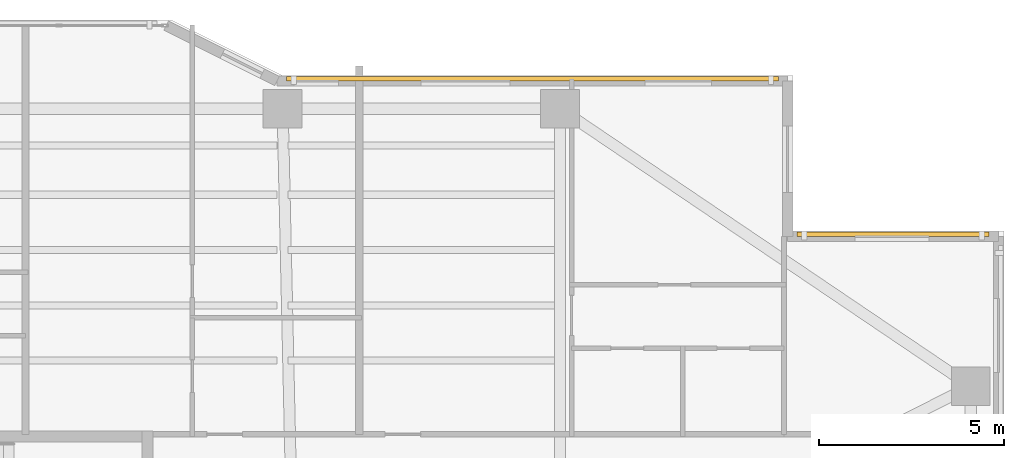
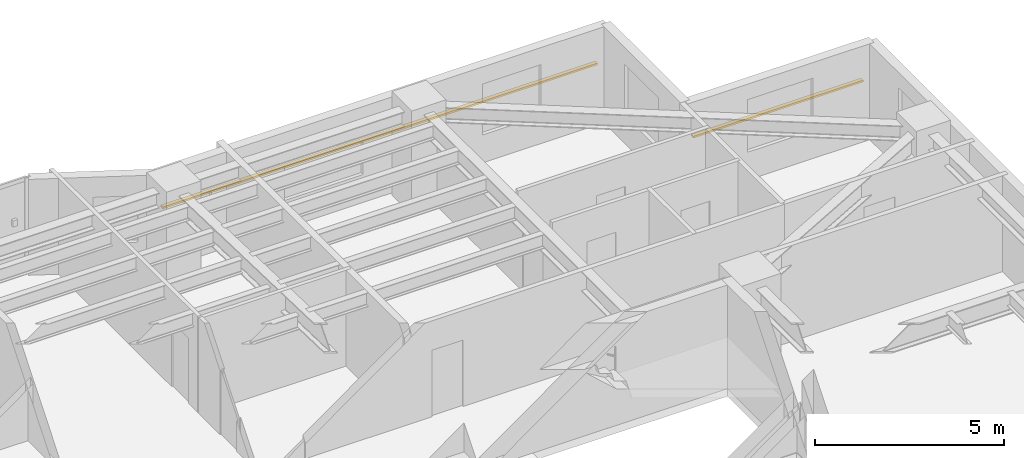
# One storey, part 18 of 18: 2 shading devices.
"""IFC4 building model written with IfcOpenShell, lengths in metres."""

import ifcopenshell
import ifcopenshell.guid

model = None  # the IFC model being written
_history = None  # IfcOwnerHistory: only IFC2X3 demands one
_inside = {}  # id of a spatial element -> (the spatial element, [elements in it])
_under = {}  # id of a project, library or spatial element -> (it, [spatial elements below it])
_declared = {}  # id of a project -> (the project, [libraries it declares])
_typed = {}  # id of a type object -> (the type object, [elements of that type])
_made_of = {}  # id of a material, layer set ... -> (it, [elements and type objects made of it])


def new_model(schema):
    """Start an empty IFC model of exactly this schema.

    Asked for "IFC4X3", IfcOpenShell would pick the latest addendum, in which some entities
    have other attributes; the version numbers below select the first issue.
    IFC2X3 requires an IfcOwnerHistory on every rooted entity: one is made here for all.
    """
    global model, _history
    if schema == "IFC4X3":
        model = ifcopenshell.file(schema_version=(4, 3, 0, 0))
    else:
        model = ifcopenshell.file(schema=schema)
    _inside.clear()
    _under.clear()
    _declared.clear()
    _typed.clear()
    _made_of.clear()
    _history = None
    if model.schema == "IFC2X3":
        org = make("IfcOrganization", Name="unknown")
        user = make(
            "IfcPersonAndOrganization",
            ThePerson=make("IfcPerson", FamilyName="unknown"),
            TheOrganization=org,
        )
        app = make(
            "IfcApplication",
            ApplicationDeveloper=org,
            Version="unknown",
            ApplicationFullName="unknown",
            ApplicationIdentifier="unknown",
        )
        _history = make(
            "IfcOwnerHistory",
            OwningUser=user,
            OwningApplication=app,
            ChangeAction="ADDED",
            CreationDate=0,
        )
    return model


def make(cls, **values):
    """One entity of the class cls with the attributes given. An attribute that is None is left unset."""
    return model.create_entity(
        cls, **{name: value for name, value in values.items() if value is not None}
    )


def rooted(cls, **values):
    """An entity with a GlobalId (a new one), such as an element, a storey or a relation."""
    return make(cls, GlobalId=ifcopenshell.guid.new(), OwnerHistory=_history, **values)


def si_unit(unit_type, name, prefix=None):
    """IfcSIUnit, for example si_unit("LENGTHUNIT", "METRE", prefix="MILLI")."""
    return make("IfcSIUnit", UnitType=unit_type, Prefix=prefix, Name=name)


def assignment(units):
    """IfcUnitAssignment: the units of a project."""
    return None if units is None else make("IfcUnitAssignment", Units=units)


def point(xyz):
    """IfcCartesianPoint."""
    return None if xyz is None else make("IfcCartesianPoint", Coordinates=xyz)


def direction(xyz):
    """IfcDirection."""
    return None if xyz is None else make("IfcDirection", DirectionRatios=xyz)


def frame(location, z_axis=None, x_axis=None):
    """IfcAxis2Placement3D, a coordinate frame: its origin and axes. An axis left out is left unset."""
    return make(
        "IfcAxis2Placement3D",
        Location=point(location),
        Axis=direction(z_axis),
        RefDirection=direction(x_axis),
    )


def frame_2d(location, x_axis=None):
    """IfcAxis2Placement2D, a coordinate frame in the plane: its origin and x axis."""
    return make(
        "IfcAxis2Placement2D", Location=point(location), RefDirection=direction(x_axis)
    )


def origin():
    """The frame at (0, 0, 0) with its axes left unset."""
    return frame((0.0, 0.0, 0.0))


def origin_2d():
    """The frame at (0, 0) in the plane with its x axis left unset."""
    return frame_2d((0.0, 0.0))


def place(relative_to, where):
    """IfcLocalPlacement: puts the frame where relative to a parent placement (None: the world)."""
    return make(
        "IfcLocalPlacement", PlacementRelTo=relative_to, RelativePlacement=where
    )


def context(
    kind, dimensions, precision=None, world=None, true_north=None, identifier=None
):
    """IfcGeometricRepresentationContext, for example the 3D "Model" context."""
    return make(
        "IfcGeometricRepresentationContext",
        ContextIdentifier=identifier,
        ContextType=kind,
        CoordinateSpaceDimension=dimensions,
        Precision=precision,
        WorldCoordinateSystem=world,
        TrueNorth=true_north,
    )


def subcontext(parent, identifier, kind, view, scale=None):
    """IfcGeometricRepresentationSubContext, for example "Body" below "Model"."""
    return make(
        "IfcGeometricRepresentationSubContext",
        ContextIdentifier=identifier,
        ContextType=kind,
        ParentContext=parent,
        TargetScale=scale,
        TargetView=view,
    )


def project(units=None, contexts=None):
    """IfcProject with its units and contexts."""
    return rooted(
        "IfcProject",
        Name="project",
        RepresentationContexts=contexts,
        UnitsInContext=assignment(units),
    )


def spatial(cls, under=None, at=None, **own):
    """A site, building, storey or space (cls), placed at a placement, below another one or the project."""
    s = rooted(cls, ObjectPlacement=at, **own)
    if under is not None:
        _under.setdefault(under.id(), (under, []))[1].append(s)
    return s


def profile(cls, at=None, kind="AREA", **sizes):
    """A parametric profile (cls). Its sizes go by their IFC names, for example OverallWidth=200.0."""
    return make(cls, ProfileType=kind, Position=at, **sizes)


def rectangle(**sizes):
    """IfcRectangleProfileDef."""
    return profile("IfcRectangleProfileDef", **sizes)


def extrude(swept, where, along, depth):
    """IfcExtrudedAreaSolid: the profile swept, set in the frame where, extruded along a direction by depth."""
    return make(
        "IfcExtrudedAreaSolid",
        SweptArea=swept,
        Position=where,
        ExtrudedDirection=direction(along),
        Depth=depth,
    )


def shape(context_of_items, identifier, shape_type, items):
    """IfcShapeRepresentation: the items that make up one representation, for example the "Body"."""
    return make(
        "IfcShapeRepresentation",
        ContextOfItems=context_of_items,
        RepresentationIdentifier=identifier,
        RepresentationType=shape_type,
        Items=items,
    )


def material(Name=None, Category=None):
    """IfcMaterial."""
    return make("IfcMaterial", Name=Name, Category=Category)


def material_profile(
    of_material, cross_section, Name=None, Category=None, Priority=None
):
    """IfcMaterialProfile: a cross section and its material."""
    return make(
        "IfcMaterialProfile",
        Name=Name,
        Material=of_material,
        Profile=cross_section,
        Priority=Priority,
        Category=Category,
    )


def profile_set(profiles, Name=None, composite=None):
    """IfcMaterialProfileSet."""
    return make(
        "IfcMaterialProfileSet",
        Name=Name,
        MaterialProfiles=profiles,
        CompositeProfile=composite,
    )


def made_of(thing, what):
    """Note that an element or type object is made of a material, layer set ...; save() writes the relation."""
    if what is not None:
        _made_of.setdefault(what.id(), (what, []))[1].append(thing)
    return thing


def type_object(cls, material=None, **own):
    """A type object (cls), such as IfcWallType, which elements share."""
    return made_of(rooted(cls, **own), material)


def element(
    cls,
    number,
    at=None,
    inside=None,
    cuts=None,
    type_object=None,
    material=None,
    context=None,
    identifier="Body",
    shape_type=None,
    held_by="IfcProductDefinitionShape",
    body=None,
    shapes=None,
    **own,
):
    """One element of the class cls, such as IfcWall. Its Tag is "e" and its number.

    at: its placement. inside: the storey or other place that contains it. cuts: it is an
    opening in that element (IfcRelVoidsElement). A single representation is given by context,
    identifier, shape_type and body (its items); several are given by shapes. held_by: the class
    of the entity that holds the representations. save() writes the other relations.
    """
    e = rooted(cls, Tag="e%d" % number, ObjectPlacement=at, **own)
    if body is not None:
        shapes = [shape(context, identifier, shape_type, body)]
    if shapes is not None:
        e.Representation = make(held_by, Representations=shapes)
    if inside is not None:
        _inside.setdefault(inside.id(), (inside, []))[1].append(e)
    if cuts is not None:
        rooted(
            "IfcRelVoidsElement", RelatingBuildingElement=cuts, RelatedOpeningElement=e
        )
    if type_object is not None:
        _typed.setdefault(type_object.id(), (type_object, []))[1].append(e)
    return made_of(e, material)


def aggregate(whole, parts):
    """IfcRelAggregates: a whole, such as a stair, and the parts it consists of."""
    return rooted("IfcRelAggregates", RelatingObject=whole, RelatedObjects=parts)


def save(model, path):
    """Write the relations noted so far, then the file.

    IfcRelAggregates (storeys below a building ...), IfcRelContainedInSpatialStructure (elements
    in a storey), IfcRelDefinesByType, IfcRelAssociatesMaterial and IfcRelDeclares: one each for
    every whole, place, type object, material and project.
    """
    for whole, parts in _under.values():
        aggregate(whole, parts)
    for where, things in _inside.values():
        rooted(
            "IfcRelContainedInSpatialStructure",
            RelatedElements=things,
            RelatingStructure=where,
        )
    for kind, things in _typed.values():
        rooted("IfcRelDefinesByType", RelatedObjects=things, RelatingType=kind)
    for what, things in _made_of.values():
        rooted("IfcRelAssociatesMaterial", RelatedObjects=things, RelatingMaterial=what)
    for by, libraries in _declared.values():
        rooted("IfcRelDeclares", RelatingContext=by, RelatedDefinitions=libraries)
    model.write(path)


model = new_model("IFC4")

# Units and contexts
model_context = context("Model", 3, precision=1e-05, world=origin(), true_north=direction((0.0, 1.0)))
body_context = subcontext(model_context, "Body", "Model", "MODEL_VIEW")
ifc_project = project(units=[si_unit("LENGTHUNIT", "METRE"), si_unit("AREAUNIT", "SQUARE_METRE"), si_unit("VOLUMEUNIT", "CUBIC_METRE"), si_unit("PLANEANGLEUNIT", "RADIAN"), si_unit("MASSUNIT", "GRAM", prefix="KILO")], contexts=[model_context])

# Site, building, storey
site_placement = place(None, origin())
site = spatial("IfcSite", under=ifc_project, at=site_placement, CompositionType="ELEMENT")
building_placement = place(site_placement, origin())
building = spatial("IfcBuilding", under=site, at=building_placement, Name="Tarnavaz Court Tower", CompositionType="ELEMENT")
storey_placement = place(building_placement, frame((0.0, 0.0, 101.75)))
storey = spatial("IfcBuildingStorey", under=building, at=storey_placement, Name="L27", CompositionType="ELEMENT", Elevation=101.75)

# Shading devices
ifc_material = material(Name="Kiln-Fired Khorasan Terracotta Ceramic", Category="masonry")
ifc_material_profile = material_profile(ifc_material, rectangle(XDim=0.1201171875, YDim=0.06005859375, at=origin_2d()), Name="TC BAGUETTE 120X60")
ifc_profile_set = profile_set([ifc_material_profile], Name="Kiln-Fired Khorasan Terracotta Ceramic")
shading_device_type = type_object("IfcShadingDeviceType", Name="SD-BAG-120", PredefinedType="USERDEFINED", material=ifc_profile_set)
shading_device_1_placement = place(storey_placement, frame((7.60009765625, 22.110107421875, 1.85009765625), z_axis=(1.0, 0.0, 0.0), x_axis=(0.0, 1.0, 0.0)))
element("IfcShadingDevice", 1, at=shading_device_1_placement, inside=storey, type_object=shading_device_type, Name="L27 Terracotta Baguette Screen FBG09", ObjectType="BAGUETTE", PredefinedType="USERDEFINED", context=body_context, shape_type="SweptSolid", body=[
    extrude(rectangle(XDim=0.1201171875, YDim=0.06005859375, at=origin_2d()), origin(), (0.0, 0.0, 1.0), 13.2998046875),
])
shading_device_2_placement = place(storey_placement, frame((21.39990234375, 17.909912109375, 1.85009765625), z_axis=(1.0, 0.0, 0.0), x_axis=(0.0, 1.0, 0.0)))
element("IfcShadingDevice", 2, at=shading_device_2_placement, inside=storey, type_object=shading_device_type, Name="L27 Terracotta Baguette Screen FBG11", ObjectType="BAGUETTE", PredefinedType="USERDEFINED", context=body_context, shape_type="SweptSolid", body=[
    extrude(rectangle(XDim=0.1201171875, YDim=0.06005859375, at=origin_2d()), origin(), (0.0, 0.0, 1.0), 5.2001953125),
])

save(model, "model.ifc")
